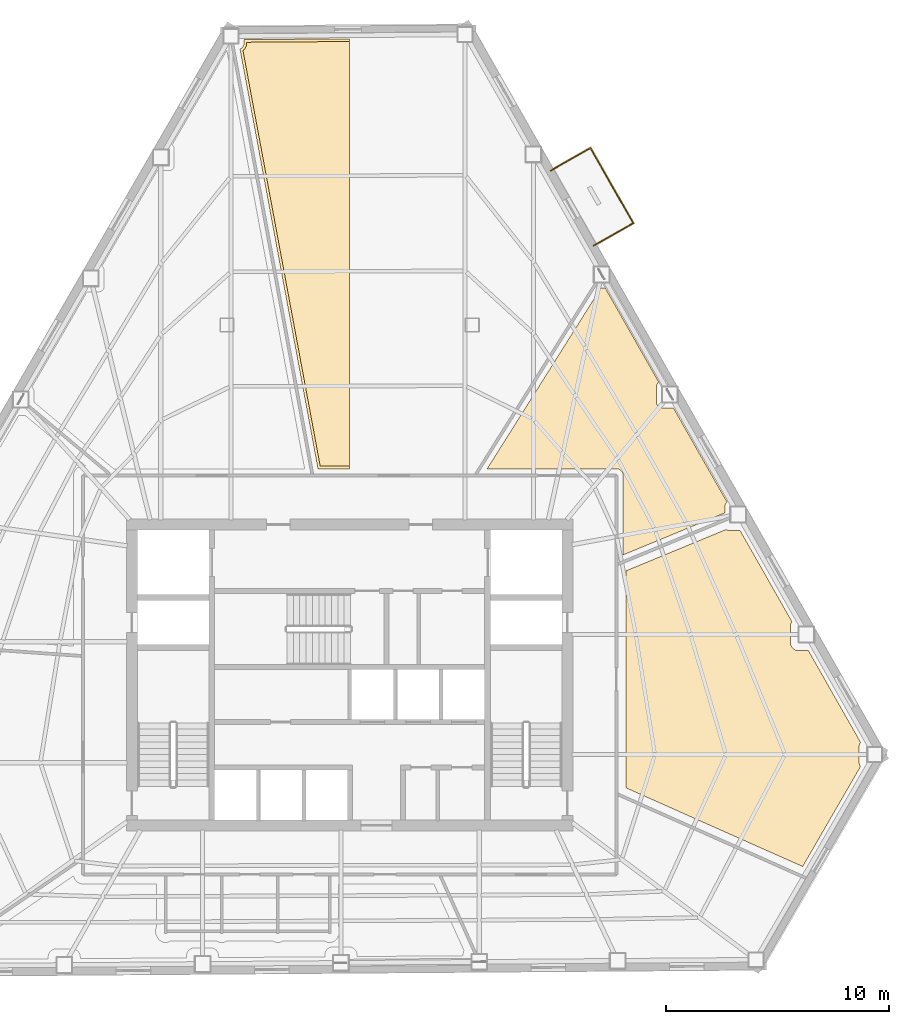
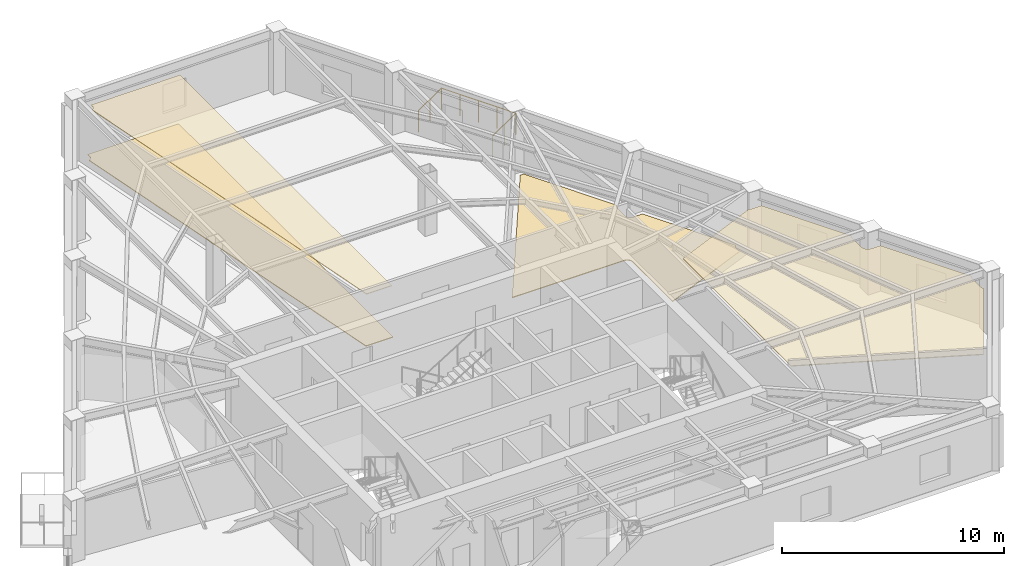
# One storey, part 10 of 10: 4 coverings, 3 railings.
"""IFC4 building model written with IfcOpenShell, lengths in metres."""

from ifc_helpers import new_model, si_unit, direction, frame, origin, origin_2d, place, context, subcontext, project, spatial, polyline, circle, outline, extrude, material, layer, layer_set, type_object, element, save


model = new_model("IFC4")

# Units and contexts
model_context = context("Model", 3, precision=1e-05, world=origin(), true_north=direction((0.0, 1.0)))
body_context = subcontext(model_context, "Body", "Model", "MODEL_VIEW")
ifc_project = project(units=[si_unit("LENGTHUNIT", "METRE"), si_unit("AREAUNIT", "SQUARE_METRE"), si_unit("VOLUMEUNIT", "CUBIC_METRE"), si_unit("PLANEANGLEUNIT", "RADIAN"), si_unit("MASSUNIT", "GRAM", prefix="KILO")], contexts=[model_context])

# Site, building, storey
site_placement = place(None, origin())
site = spatial("IfcSite", under=ifc_project, at=site_placement, CompositionType="ELEMENT")
building_placement = place(site_placement, origin())
building = spatial("IfcBuilding", under=site, at=building_placement, Name="Kavelnor Concourse Tower", CompositionType="ELEMENT")
storey_placement = place(building_placement, frame((0.0, 0.0, 150.949951171875)))
storey = spatial("IfcBuildingStorey", under=building, at=storey_placement, Name="L38", CompositionType="ELEMENT", Elevation=150.949951171875)

# Coverings
ifc_material_1 = material(Name="Mineral fibre acoustic ceiling tile")
ifc_layer_1 = layer(ifc_material_1, 0.0400390625, Name="Mineral fibre acoustic ceiling tile")
ifc_layer_set_1 = layer_set([ifc_layer_1], Name="Mineral fibre acoustic ceiling tile")
covering_type_1 = type_object("IfcCoveringType", Name="COV-CEILING-ACOUSTIC", PredefinedType="CEILING", material=ifc_layer_set_1)
covering_1_placement = place(storey_placement, frame((0.0, 0.0, 2.75)))
element("IfcCovering", 1, at=covering_1_placement, inside=storey, type_object=covering_type_1, Name="L38 Suspended Acoustic Ceiling", PredefinedType="CEILING", context=body_context, shape_type="SweptSolid", body=[
    extrude(outline(polyline([(33.267578125, 44.17041015625), (33.291259765625, 44.196533203125), (33.3125, 44.22509765625), (33.33056640625, 44.25537109375), (33.345703125, 44.287353515625), (33.357666015625, 44.320556640625), (33.3662109375, 44.35498046875), (33.371337890625, 44.389892578125), (33.372802734375, 44.4169921875), (33.372802734375, 44.490478515625), (37.9951171875, 44.525390625), (37.9951171875, 25.472412109375), (36.680419921875, 25.472412109375), (33.213623046875, 44.1259765625), (33.2412109375, 44.146484375), (33.267578125, 44.17041015625)])), origin(), (0.0, 0.0, 1.0), 0.0400390625),
])
covering_2_placement = place(storey_placement, frame((0.0, 0.0, 2.75)))
element("IfcCovering", 2, at=covering_2_placement, inside=storey, type_object=covering_type_1, Name="L38 Suspended Acoustic Ceiling", PredefinedType="CEILING", context=body_context, shape_type="SweptSolid", body=[
    extrude(outline(polyline([(50.392578125, 20.768798828125), (54.8955078125, 22.62841796875), (54.905517578125, 22.622314453125), (54.9375, 22.607421875), (54.970703125, 22.595458984375), (55.0048828125, 22.5869140625), (55.0400390625, 22.58154296875), (55.06689453125, 22.580322265625), (55.522705078125, 22.580322265625), (57.849609375, 18.489013671875), (57.838623046875, 18.474365234375), (57.820556640625, 18.444091796875), (57.805419921875, 18.412109375), (57.79345703125, 18.37890625), (57.784912109375, 18.344482421875), (57.77978515625, 18.3095703125), (57.7783203125, 18.282470703125), (57.7783203125, 17.5458984375), (57.77978515625, 17.518798828125), (57.784912109375, 17.48388671875), (57.79345703125, 17.44970703125), (57.805419921875, 17.416259765625), (57.820556640625, 17.38427734375), (57.838623046875, 17.35400390625), (57.85986328125, 17.32568359375), (57.883544921875, 17.29931640625), (57.909912109375, 17.275634765625), (57.938232421875, 17.25439453125), (57.968505859375, 17.236328125), (58.00048828125, 17.22119140625), (58.03369140625, 17.209228515625), (58.068115234375, 17.20068359375), (58.10302734375, 17.195556640625), (58.130126953125, 17.194091796875), (58.585693359375, 17.194091796875), (60.927734375, 13.076416015625), (60.921875, 13.068359375), (60.90380859375, 13.0380859375), (60.888671875, 13.006103515625), (60.876708984375, 12.972900390625), (60.8681640625, 12.9384765625), (60.86279296875, 12.903564453125), (60.861572265625, 12.87646484375), (60.861572265625, 12.179931640625), (60.86279296875, 12.15283203125), (60.8681640625, 12.117919921875), (60.876708984375, 12.08349609375), (60.888671875, 12.05029296875), (60.90380859375, 12.018310546875), (60.921875, 11.988037109375), (60.923828125, 11.9853515625), (58.32958984375, 7.5029296875), (50.392578125, 11.036865234375), (50.392578125, 20.768798828125)])), origin(), (0.0, 0.0, 1.0), 0.0400390625),
])
ifc_material_2 = material(Name="Honed bluestone and raised access floor finish", Category="masonry")
ifc_layer_2 = layer(ifc_material_2, 0.0400390625, Name="Honed bluestone and raised access floor finish")
ifc_layer_set_2 = layer_set([ifc_layer_2], Name="Honed bluestone and raised access floor finish")
covering_type_2 = type_object("IfcCoveringType", Name="COV-FLOOR-STONE", PredefinedType="FLOORING", material=ifc_layer_set_2)
covering_3_placement = place(storey_placement, frame((0.0, 0.0, 0.001953125)))
element("IfcCovering", 3, at=covering_3_placement, inside=storey, type_object=covering_type_2, Name="L38 Honed Bluestone Floor Finish", PredefinedType="FLOORING", context=body_context, shape_type="SweptSolid", body=[
    extrude(outline(polyline([(50.271240234375, 25.07958984375), (50.266845703125, 25.109130859375), (50.259765625, 25.137939453125), (50.249755859375, 25.166015625), (50.237060546875, 25.192626953125), (50.2216796875, 25.21826171875), (50.2041015625, 25.2421875), (50.18408203125, 25.26416015625), (50.162109375, 25.283935546875), (50.13818359375, 25.3017578125), (50.11279296875, 25.31689453125), (50.0859375, 25.32958984375), (50.057861328125, 25.339599609375), (50.029052734375, 25.346923828125), (49.999755859375, 25.351318359375), (49.975341796875, 25.3525390625), (44.170654296875, 25.3525390625), (49.27978515625, 33.472412109375), (49.466064453125, 33.472412109375), (51.872314453125, 29.241455078125), (51.859619140625, 29.23193359375), (51.84228515625, 29.21630859375), (51.826416015625, 29.19873046875), (51.812255859375, 29.1796875), (51.80029296875, 29.15966796875), (51.7900390625, 29.13818359375), (51.7822265625, 29.115966796875), (51.776611328125, 29.09326171875), (51.77294921875, 29.06982421875), (51.772216796875, 29.0517578125), (51.772216796875, 28.32080078125), (51.77294921875, 28.302734375), (51.776611328125, 28.279296875), (51.7822265625, 28.256591796875), (51.7900390625, 28.234375), (51.80029296875, 28.212890625), (51.812255859375, 28.19287109375), (51.826416015625, 28.173828125), (51.84228515625, 28.156494140625), (51.859619140625, 28.140625), (51.878662109375, 28.12646484375), (51.898681640625, 28.114501953125), (51.920166015625, 28.104248046875), (51.9423828125, 28.096435546875), (51.965087890625, 28.0908203125), (51.988525390625, 28.087158203125), (52.006591796875, 28.086181640625), (52.529296875, 28.086181640625), (54.935546875, 23.85546875), (54.9228515625, 23.845947265625), (54.905517578125, 23.830078125), (54.8896484375, 23.812744140625), (54.87548828125, 23.793701171875), (54.86328125, 23.773681640625), (54.853271484375, 23.752197265625), (54.845458984375, 23.72998046875), (54.839599609375, 23.707275390625), (54.836181640625, 23.683837890625), (54.835205078125, 23.665771484375), (54.835205078125, 23.37158203125), (50.2724609375, 21.4873046875), (50.2724609375, 25.055419921875), (50.271240234375, 25.07958984375)])), origin(), (0.0, 0.0, 1.0), 0.0400390625),
])
covering_4_placement = place(storey_placement, frame((0.0, 0.0, 0.001953125)))
element("IfcCovering", 4, at=covering_4_placement, inside=storey, type_object=covering_type_2, Name="L38 Honed Bluestone Floor Finish", PredefinedType="FLOORING", context=body_context, shape_type="SweptSolid", body=[
    extrude(outline(polyline([(33.1044921875, 44.203125), (33.1259765625, 44.21337890625), (33.146240234375, 44.225341796875), (33.1650390625, 44.239501953125), (33.1826171875, 44.25537109375), (33.198486328125, 44.272705078125), (33.21240234375, 44.291748046875), (33.224609375, 44.31201171875), (33.234619140625, 44.333251953125), (33.24267578125, 44.35546875), (33.248291015625, 44.37841796875), (33.251708984375, 44.401611328125), (33.252685546875, 44.419921875), (33.252685546875, 44.609619140625), (37.9951171875, 44.645263671875), (37.9951171875, 25.3525390625), (36.58056640625, 25.3525390625), (33.078857421875, 44.1943359375), (33.08251953125, 44.1953125), (33.1044921875, 44.203125)])), origin(), (0.0, 0.0, 1.0), 0.0400390625),
])

# Railings
ifc_material_3 = material(Name="Architectural bronze-anodised aluminium", Category="aluminium")
railing_type = type_object("IfcRailingType", Name="RLG-TERRACE-1200", PredefinedType="BALUSTRADE", material=ifc_material_3)
railing_1_placement = place(storey_placement, frame((48.944091796875, 35.361083984375, 0.0)))
element("IfcRailing", 5, at=railing_1_placement, inside=storey, type_object=railing_type, Name="L38 Tree Balcony 1 Guardrail L", PredefinedType="BALUSTRADE", context=body_context, shape_type="SweptSolid", body=[
    extrude(circle(Radius=0.02392578125, at=origin_2d()), frame((0.0, 0.0, 1.17578125), z_axis=(0.869289115631, 0.494303988902, 0.0), x_axis=(-0.494303988902, 0.869289115631, 0.0)), (0.0, 0.0, 1.0), 2.05029296875),
    extrude(circle(Radius=0.02099609375, at=origin_2d()), origin(), (0.0, 0.0, 1.0), 1.15185546875),
    extrude(circle(Radius=0.02099609375, at=origin_2d()), frame((0.89111328125, 0.5068359375, 0.0)), (0.0, 0.0, 1.0), 1.15185546875),
    extrude(circle(Radius=0.02099609375, at=origin_2d()), frame((1.7822265625, 1.013427734375, 0.0)), (0.0, 0.0, 1.0), 1.15185546875),
])
railing_2_placement = place(storey_placement, frame((50.726318359375, 36.37451171875, 0.0)))
element("IfcRailing", 6, at=railing_2_placement, inside=storey, type_object=railing_type, Name="L38 Tree Balcony 1 Guardrail F", PredefinedType="BALUSTRADE", context=body_context, shape_type="SweptSolid", body=[
    extrude(circle(Radius=0.02392578125, at=origin_2d()), frame((0.0, 0.0, 1.17578125), z_axis=(-0.494369348369, 0.869251947017, 0.0), x_axis=(-0.869251947017, -0.494369348369, 0.0)), (0.0, 0.0, 1.0), 3.880126953125),
    extrude(circle(Radius=0.02099609375, at=origin_2d()), origin(), (0.0, 0.0, 1.0), 1.15185546875),
    extrude(circle(Radius=0.02099609375, at=origin_2d()), frame((-0.4794921875, 0.84326171875, 0.0)), (0.0, 0.0, 1.0), 1.15185546875),
    extrude(circle(Radius=0.02099609375, at=origin_2d()), frame((-0.958984375, 1.6865234375, 0.0)), (0.0, 0.0, 1.0), 1.15185546875),
    extrude(circle(Radius=0.02099609375, at=origin_2d()), frame((-1.438720703125, 2.529541015625, 0.0)), (0.0, 0.0, 1.0), 1.15185546875),
    extrude(circle(Radius=0.02099609375, at=origin_2d()), frame((-1.918212890625, 3.372802734375, 0.0)), (0.0, 0.0, 1.0), 1.15185546875),
])
railing_3_placement = place(storey_placement, frame((48.80810546875, 39.747314453125, 0.0)))
element("IfcRailing", 7, at=railing_3_placement, inside=storey, type_object=railing_type, Name="L38 Tree Balcony 1 Guardrail R", PredefinedType="BALUSTRADE", context=body_context, shape_type="SweptSolid", body=[
    extrude(circle(Radius=0.02392578125, at=origin_2d()), frame((0.0, 0.0, 1.17578125), z_axis=(-0.869208836681, -0.494445141786, 0.0), x_axis=(0.494445141786, -0.869208836681, 0.0)), (0.0, 0.0, 1.0), 2.050048828125),
    extrude(circle(Radius=0.02099609375, at=origin_2d()), origin(), (0.0, 0.0, 1.0), 1.15185546875),
    extrude(circle(Radius=0.02099609375, at=origin_2d()), frame((-0.89111328125, -0.5068359375, 0.0)), (0.0, 0.0, 1.0), 1.15185546875),
    extrude(circle(Radius=0.02099609375, at=origin_2d()), frame((-1.781982421875, -1.013671875, 0.0)), (0.0, 0.0, 1.0), 1.15185546875),
])

save(model, "model.ifc")
